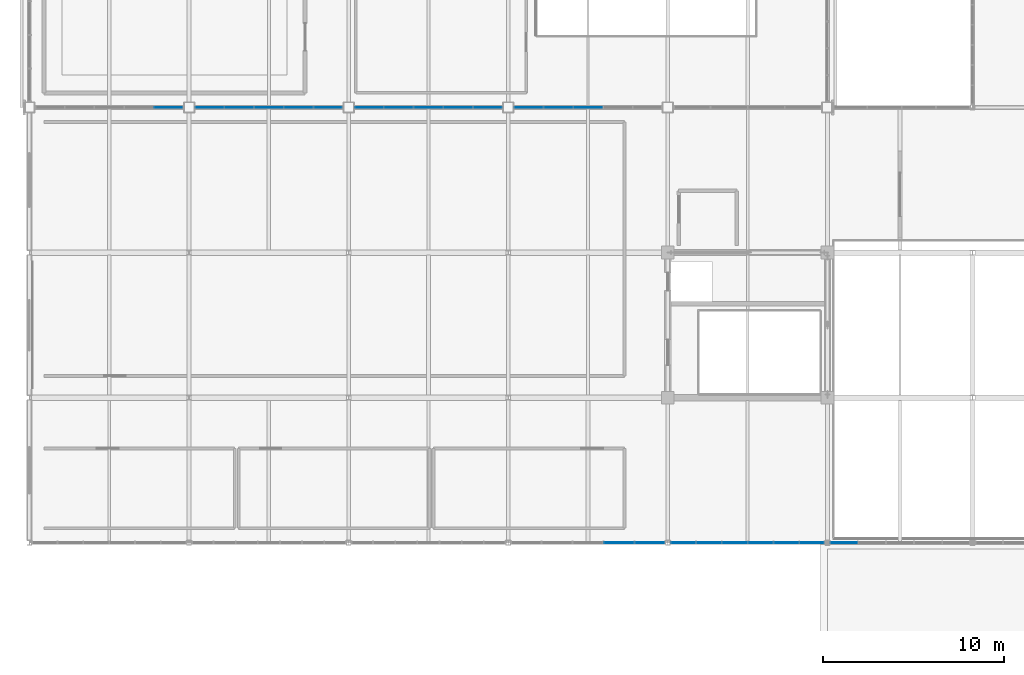
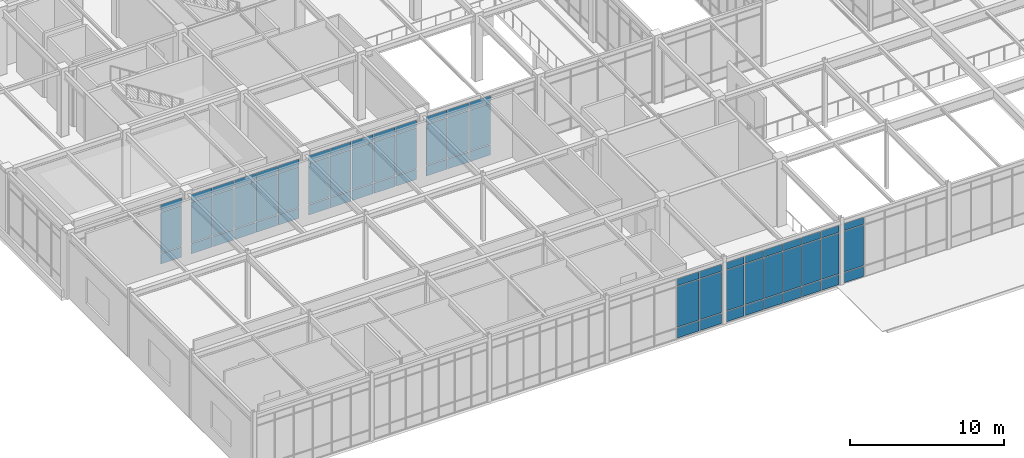
# One storey, part 83 of 184: 69 plates, 7 elements without a shape of their own.
"""IFC4 building model written with IfcOpenShell, lengths in metres."""

import ifcopenshell
import ifcopenshell.guid

model = None  # the IFC model being written
_history = None  # IfcOwnerHistory: only IFC2X3 demands one
_inside = {}  # id of a spatial element -> (the spatial element, [elements in it])
_under = {}  # id of a project, library or spatial element -> (it, [spatial elements below it])
_declared = {}  # id of a project -> (the project, [libraries it declares])
_typed = {}  # id of a type object -> (the type object, [elements of that type])
_made_of = {}  # id of a material, layer set ... -> (it, [elements and type objects made of it])


def new_model(schema):
    """Start an empty IFC model of exactly this schema.

    Asked for "IFC4X3", IfcOpenShell would pick the latest addendum, in which some entities
    have other attributes; the version numbers below select the first issue.
    IFC2X3 requires an IfcOwnerHistory on every rooted entity: one is made here for all.
    """
    global model, _history
    if schema == "IFC4X3":
        model = ifcopenshell.file(schema_version=(4, 3, 0, 0))
    else:
        model = ifcopenshell.file(schema=schema)
    _inside.clear()
    _under.clear()
    _declared.clear()
    _typed.clear()
    _made_of.clear()
    _history = None
    if model.schema == "IFC2X3":
        org = make("IfcOrganization", Name="unknown")
        user = make(
            "IfcPersonAndOrganization",
            ThePerson=make("IfcPerson", FamilyName="unknown"),
            TheOrganization=org,
        )
        app = make(
            "IfcApplication",
            ApplicationDeveloper=org,
            Version="unknown",
            ApplicationFullName="unknown",
            ApplicationIdentifier="unknown",
        )
        _history = make(
            "IfcOwnerHistory",
            OwningUser=user,
            OwningApplication=app,
            ChangeAction="ADDED",
            CreationDate=0,
        )
    return model


def make(cls, **values):
    """One entity of the class cls with the attributes given. An attribute that is None is left unset."""
    return model.create_entity(
        cls, **{name: value for name, value in values.items() if value is not None}
    )


def rooted(cls, **values):
    """An entity with a GlobalId (a new one), such as an element, a storey or a relation."""
    return make(cls, GlobalId=ifcopenshell.guid.new(), OwnerHistory=_history, **values)


def si_unit(unit_type, name, prefix=None):
    """IfcSIUnit, for example si_unit("LENGTHUNIT", "METRE", prefix="MILLI")."""
    return make("IfcSIUnit", UnitType=unit_type, Prefix=prefix, Name=name)


def assignment(units):
    """IfcUnitAssignment: the units of a project."""
    return None if units is None else make("IfcUnitAssignment", Units=units)


def point(xyz):
    """IfcCartesianPoint."""
    return None if xyz is None else make("IfcCartesianPoint", Coordinates=xyz)


def direction(xyz):
    """IfcDirection."""
    return None if xyz is None else make("IfcDirection", DirectionRatios=xyz)


def frame(location, z_axis=None, x_axis=None):
    """IfcAxis2Placement3D, a coordinate frame: its origin and axes. An axis left out is left unset."""
    return make(
        "IfcAxis2Placement3D",
        Location=point(location),
        Axis=direction(z_axis),
        RefDirection=direction(x_axis),
    )


def frame_2d(location, x_axis=None):
    """IfcAxis2Placement2D, a coordinate frame in the plane: its origin and x axis."""
    return make(
        "IfcAxis2Placement2D", Location=point(location), RefDirection=direction(x_axis)
    )


def origin():
    """The frame at (0, 0, 0) with its axes left unset."""
    return frame((0.0, 0.0, 0.0))


def origin_2d():
    """The frame at (0, 0) in the plane with its x axis left unset."""
    return frame_2d((0.0, 0.0))


def place(relative_to, where):
    """IfcLocalPlacement: puts the frame where relative to a parent placement (None: the world)."""
    return make(
        "IfcLocalPlacement", PlacementRelTo=relative_to, RelativePlacement=where
    )


def context(
    kind, dimensions, precision=None, world=None, true_north=None, identifier=None
):
    """IfcGeometricRepresentationContext, for example the 3D "Model" context."""
    return make(
        "IfcGeometricRepresentationContext",
        ContextIdentifier=identifier,
        ContextType=kind,
        CoordinateSpaceDimension=dimensions,
        Precision=precision,
        WorldCoordinateSystem=world,
        TrueNorth=true_north,
    )


def subcontext(parent, identifier, kind, view, scale=None):
    """IfcGeometricRepresentationSubContext, for example "Body" below "Model"."""
    return make(
        "IfcGeometricRepresentationSubContext",
        ContextIdentifier=identifier,
        ContextType=kind,
        ParentContext=parent,
        TargetScale=scale,
        TargetView=view,
    )


def project(units=None, contexts=None):
    """IfcProject with its units and contexts."""
    return rooted(
        "IfcProject",
        Name="project",
        RepresentationContexts=contexts,
        UnitsInContext=assignment(units),
    )


def spatial(cls, under=None, at=None, **own):
    """A site, building, storey or space (cls), placed at a placement, below another one or the project."""
    s = rooted(cls, ObjectPlacement=at, **own)
    if under is not None:
        _under.setdefault(under.id(), (under, []))[1].append(s)
    return s


def profile(cls, at=None, kind="AREA", **sizes):
    """A parametric profile (cls). Its sizes go by their IFC names, for example OverallWidth=200.0."""
    return make(cls, ProfileType=kind, Position=at, **sizes)


def rectangle(**sizes):
    """IfcRectangleProfileDef."""
    return profile("IfcRectangleProfileDef", **sizes)


def extrude(swept, where, along, depth):
    """IfcExtrudedAreaSolid: the profile swept, set in the frame where, extruded along a direction by depth."""
    return make(
        "IfcExtrudedAreaSolid",
        SweptArea=swept,
        Position=where,
        ExtrudedDirection=direction(along),
        Depth=depth,
    )


def shape(context_of_items, identifier, shape_type, items):
    """IfcShapeRepresentation: the items that make up one representation, for example the "Body"."""
    return make(
        "IfcShapeRepresentation",
        ContextOfItems=context_of_items,
        RepresentationIdentifier=identifier,
        RepresentationType=shape_type,
        Items=items,
    )


def material(Name=None, Category=None):
    """IfcMaterial."""
    return make("IfcMaterial", Name=Name, Category=Category)


def layer(
    of_material, thickness, ventilated=None, Name=None, Category=None, Priority=None
):
    """IfcMaterialLayer: one layer of a wall or slab, of a material (None: an air gap)."""
    return make(
        "IfcMaterialLayer",
        Material=of_material,
        LayerThickness=thickness,
        IsVentilated=ventilated,
        Name=Name,
        Category=Category,
        Priority=Priority,
    )


def layer_set(layers, Name=None):
    """IfcMaterialLayerSet."""
    return make("IfcMaterialLayerSet", MaterialLayers=layers, LayerSetName=Name)


def made_of(thing, what):
    """Note that an element or type object is made of a material, layer set ...; save() writes the relation."""
    if what is not None:
        _made_of.setdefault(what.id(), (what, []))[1].append(thing)
    return thing


def type_object(cls, material=None, **own):
    """A type object (cls), such as IfcWallType, which elements share."""
    return made_of(rooted(cls, **own), material)


def element(
    cls,
    number,
    at=None,
    inside=None,
    cuts=None,
    type_object=None,
    material=None,
    context=None,
    identifier="Body",
    shape_type=None,
    held_by="IfcProductDefinitionShape",
    body=None,
    shapes=None,
    **own,
):
    """One element of the class cls, such as IfcWall. Its Tag is "e" and its number.

    at: its placement. inside: the storey or other place that contains it. cuts: it is an
    opening in that element (IfcRelVoidsElement). A single representation is given by context,
    identifier, shape_type and body (its items); several are given by shapes. held_by: the class
    of the entity that holds the representations. save() writes the other relations.
    """
    e = rooted(cls, Tag="e%d" % number, ObjectPlacement=at, **own)
    if body is not None:
        shapes = [shape(context, identifier, shape_type, body)]
    if shapes is not None:
        e.Representation = make(held_by, Representations=shapes)
    if inside is not None:
        _inside.setdefault(inside.id(), (inside, []))[1].append(e)
    if cuts is not None:
        rooted(
            "IfcRelVoidsElement", RelatingBuildingElement=cuts, RelatedOpeningElement=e
        )
    if type_object is not None:
        _typed.setdefault(type_object.id(), (type_object, []))[1].append(e)
    return made_of(e, material)


def aggregate(whole, parts):
    """IfcRelAggregates: a whole, such as a stair, and the parts it consists of."""
    return rooted("IfcRelAggregates", RelatingObject=whole, RelatedObjects=parts)


def save(model, path):
    """Write the relations noted so far, then the file.

    IfcRelAggregates (storeys below a building ...), IfcRelContainedInSpatialStructure (elements
    in a storey), IfcRelDefinesByType, IfcRelAssociatesMaterial and IfcRelDeclares: one each for
    every whole, place, type object, material and project.
    """
    for whole, parts in _under.values():
        aggregate(whole, parts)
    for where, things in _inside.values():
        rooted(
            "IfcRelContainedInSpatialStructure",
            RelatedElements=things,
            RelatingStructure=where,
        )
    for kind, things in _typed.values():
        rooted("IfcRelDefinesByType", RelatedObjects=things, RelatingType=kind)
    for what, things in _made_of.values():
        rooted("IfcRelAssociatesMaterial", RelatedObjects=things, RelatingMaterial=what)
    for by, libraries in _declared.values():
        rooted("IfcRelDeclares", RelatingContext=by, RelatedDefinitions=libraries)
    model.write(path)


model = new_model("IFC4")

# Units and contexts
model_context = context("Model", 3, precision=1e-05, world=origin(), true_north=direction((0.0, 1.0)))
body_context = subcontext(model_context, "Body", "Model", "MODEL_VIEW")
ifc_project = project(units=[si_unit("LENGTHUNIT", "METRE"), si_unit("AREAUNIT", "SQUARE_METRE"), si_unit("VOLUMEUNIT", "CUBIC_METRE"), si_unit("PLANEANGLEUNIT", "RADIAN"), si_unit("MASSUNIT", "GRAM", prefix="KILO")], contexts=[model_context])

# Site, building, storey
site_placement = place(None, origin())
site = spatial("IfcSite", under=ifc_project, at=site_placement, CompositionType="ELEMENT")
building_placement = place(site_placement, origin())
building = spatial("IfcBuilding", under=site, at=building_placement, Name="Zhaolan Boulevard Law Courts", CompositionType="ELEMENT")
storey_placement = place(building_placement, frame((0.0, 0.0, 5.39990234375)))
storey = spatial("IfcBuildingStorey", under=building, at=storey_placement, Name="L01", CompositionType="ELEMENT", Elevation=5.39990234375)

# Curtain wall, plates
ifc_material_1 = material(Name="Thermally broken aluminium and low-E glazing", Category="aluminium")
curtain_wall_type_1 = type_object("IfcCurtainWallType", Name="CURTAIN WALL M7", PredefinedType="USERDEFINED", material=ifc_material_1)
curtain_wall_1_placement = place(storey_placement, origin())
curtain_wall_1 = element("IfcCurtainWall", 1, at=curtain_wall_1_placement, inside=storey, type_object=curtain_wall_type_1, Name="Curtain Wall CW-L01-031", ObjectType="CURTAIN WALL", PredefinedType="USERDEFINED")
ifc_material_2 = material(Name="Acoustic laminated low-E glazing", Category="glass")
ifc_layer = layer(ifc_material_2, 0.031982421875)
ifc_layer_set = layer_set([ifc_layer])
plate_type = type_object("IfcPlateType", Name="CWPANEL LOW E32", PredefinedType="CURTAIN_PANEL", material=ifc_layer_set)
plate_1_placement = place(storey_placement, frame((32.50927734375, 6.0, 0.06494140625), z_axis=(0.0, 0.0, 1.0), x_axis=(1.0, 0.0, 0.0)))
plate_1 = element("IfcPlate", 2, at=plate_1_placement, type_object=plate_type, Name="CW-L01-031 panel 4.1", PredefinedType="CURTAIN_PANEL", context=body_context, shape_type="SweptSolid", body=[
    extrude(rectangle(XDim=1.644287109375, YDim=0.031982421875, at=origin_2d()), origin(), (0.0, 0.0, 1.0), 0.802490234375),
])
plate_2_placement = place(storey_placement, frame((32.50927734375, 6.0, 0.9326171875), z_axis=(0.0, 0.0, 1.0), x_axis=(1.0, 0.0, 0.0)))
plate_2 = element("IfcPlate", 3, at=plate_2_placement, type_object=plate_type, Name="CW-L01-031 panel 4.2", PredefinedType="CURTAIN_PANEL", context=body_context, shape_type="SweptSolid", body=[
    extrude(rectangle(XDim=1.644287109375, YDim=0.031982421875, at=origin_2d()), origin(), (0.0, 0.0, 1.0), 3.2080078125),
])
plate_3_placement = place(storey_placement, frame((32.50927734375, 6.0, 4.20556640625), z_axis=(0.0, 0.0, 1.0), x_axis=(1.0, 0.0, 0.0)))
plate_3 = element("IfcPlate", 4, at=plate_3_placement, type_object=plate_type, Name="CW-L01-031 panel 4.3", PredefinedType="CURTAIN_PANEL", context=body_context, shape_type="SweptSolid", body=[
    extrude(rectangle(XDim=1.644287109375, YDim=0.031982421875, at=origin_2d()), origin(), (0.0, 0.0, 1.0), 0.552490234375),
])
plate_4_placement = place(storey_placement, frame((34.2021484375, 6.0, 0.06494140625), z_axis=(0.0, 0.0, 1.0), x_axis=(1.0, 0.0, 0.0)))
plate_4 = element("IfcPlate", 5, at=plate_4_placement, type_object=plate_type, Name="CW-L01-031 panel 5.1", PredefinedType="CURTAIN_PANEL", context=body_context, shape_type="SweptSolid", body=[
    extrude(rectangle(XDim=1.61181640625, YDim=0.031982421875, at=origin_2d()), origin(), (0.0, 0.0, 1.0), 0.802490234375),
])
plate_5_placement = place(storey_placement, frame((34.2021484375, 6.0, 0.9326171875), z_axis=(0.0, 0.0, 1.0), x_axis=(1.0, 0.0, 0.0)))
plate_5 = element("IfcPlate", 6, at=plate_5_placement, type_object=plate_type, Name="CW-L01-031 panel 5.2", PredefinedType="CURTAIN_PANEL", context=body_context, shape_type="SweptSolid", body=[
    extrude(rectangle(XDim=1.61181640625, YDim=0.031982421875, at=origin_2d()), origin(), (0.0, 0.0, 1.0), 3.2080078125),
])
plate_6_placement = place(storey_placement, frame((34.2021484375, 6.0, 4.20556640625), z_axis=(0.0, 0.0, 1.0), x_axis=(1.0, 0.0, 0.0)))
plate_6 = element("IfcPlate", 7, at=plate_6_placement, type_object=plate_type, Name="CW-L01-031 panel 5.3", PredefinedType="CURTAIN_PANEL", context=body_context, shape_type="SweptSolid", body=[
    extrude(rectangle(XDim=1.61181640625, YDim=0.031982421875, at=origin_2d()), origin(), (0.0, 0.0, 1.0), 0.552490234375),
])
aggregate(curtain_wall_1, [plate_1, plate_2, plate_3, plate_4, plate_5, plate_6])

ifc_material_3 = material(Name="Thermally broken aluminium and low-E glazing", Category="aluminium")
curtain_wall_type_2 = type_object("IfcCurtainWallType", Name="CURTAIN WALL M8", PredefinedType="USERDEFINED", material=ifc_material_3)
curtain_wall_2_placement = place(storey_placement, origin())
curtain_wall_2 = element("IfcCurtainWall", 8, at=curtain_wall_2_placement, inside=storey, type_object=curtain_wall_type_2, Name="Curtain Wall CW-L01-032", ObjectType="CURTAIN WALL", PredefinedType="USERDEFINED")
plate_7_placement = place(storey_placement, frame((36.055419921875, 6.0, 0.06494140625), z_axis=(0.0, 0.0, 1.0), x_axis=(1.0, 0.0, 0.0)))
plate_7 = element("IfcPlate", 9, at=plate_7_placement, type_object=plate_type, Name="CW-L01-032 panel 1.1", PredefinedType="CURTAIN_PANEL", context=body_context, shape_type="SweptSolid", body=[
    extrude(rectangle(XDim=1.326904296875, YDim=0.031982421875, at=origin_2d()), origin(), (0.0, 0.0, 1.0), 0.802490234375),
])
plate_8_placement = place(storey_placement, frame((36.055419921875, 6.0, 0.9326171875), z_axis=(0.0, 0.0, 1.0), x_axis=(1.0, 0.0, 0.0)))
plate_8 = element("IfcPlate", 10, at=plate_8_placement, type_object=plate_type, Name="CW-L01-032 panel 1.2", PredefinedType="CURTAIN_PANEL", context=body_context, shape_type="SweptSolid", body=[
    extrude(rectangle(XDim=1.326904296875, YDim=0.031982421875, at=origin_2d()), origin(), (0.0, 0.0, 1.0), 3.2080078125),
])
plate_9_placement = place(storey_placement, frame((36.055419921875, 6.0, 4.20556640625), z_axis=(0.0, 0.0, 1.0), x_axis=(1.0, 0.0, 0.0)))
plate_9 = element("IfcPlate", 11, at=plate_9_placement, type_object=plate_type, Name="CW-L01-032 panel 1.3", PredefinedType="CURTAIN_PANEL", context=body_context, shape_type="SweptSolid", body=[
    extrude(rectangle(XDim=1.326904296875, YDim=0.031982421875, at=origin_2d()), origin(), (0.0, 0.0, 1.0), 0.552490234375),
])
plate_10_placement = place(storey_placement, frame((37.46337890625, 6.0, 0.06494140625), z_axis=(0.0, 0.0, 1.0), x_axis=(1.0, 0.0, 0.0)))
plate_10 = element("IfcPlate", 12, at=plate_10_placement, type_object=plate_type, Name="CW-L01-032 panel 2.1", PredefinedType="CURTAIN_PANEL", context=body_context, shape_type="SweptSolid", body=[
    extrude(rectangle(XDim=1.359375, YDim=0.031982421875, at=origin_2d()), origin(), (0.0, 0.0, 1.0), 0.802490234375),
])
plate_11_placement = place(storey_placement, frame((37.46337890625, 6.0, 0.9326171875), z_axis=(0.0, 0.0, 1.0), x_axis=(1.0, 0.0, 0.0)))
plate_11 = element("IfcPlate", 13, at=plate_11_placement, type_object=plate_type, Name="CW-L01-032 panel 2.2", PredefinedType="CURTAIN_PANEL", context=body_context, shape_type="SweptSolid", body=[
    extrude(rectangle(XDim=1.359375, YDim=0.031982421875, at=origin_2d()), origin(), (0.0, 0.0, 1.0), 3.2080078125),
])
plate_12_placement = place(storey_placement, frame((37.46337890625, 6.0, 4.20556640625), z_axis=(0.0, 0.0, 1.0), x_axis=(1.0, 0.0, 0.0)))
plate_12 = element("IfcPlate", 14, at=plate_12_placement, type_object=plate_type, Name="CW-L01-032 panel 2.3", PredefinedType="CURTAIN_PANEL", context=body_context, shape_type="SweptSolid", body=[
    extrude(rectangle(XDim=1.359375, YDim=0.031982421875, at=origin_2d()), origin(), (0.0, 0.0, 1.0), 0.552490234375),
])
plate_13_placement = place(storey_placement, frame((38.887939453125, 6.0, 0.06494140625), z_axis=(0.0, 0.0, 1.0), x_axis=(1.0, 0.0, 0.0)))
plate_13 = element("IfcPlate", 15, at=plate_13_placement, type_object=plate_type, Name="CW-L01-032 panel 3.1", PredefinedType="CURTAIN_PANEL", context=body_context, shape_type="SweptSolid", body=[
    extrude(rectangle(XDim=1.359375, YDim=0.031982421875, at=origin_2d()), origin(), (0.0, 0.0, 1.0), 0.802490234375),
])
plate_14_placement = place(storey_placement, frame((38.887939453125, 6.0, 0.9326171875), z_axis=(0.0, 0.0, 1.0), x_axis=(1.0, 0.0, 0.0)))
plate_14 = element("IfcPlate", 16, at=plate_14_placement, type_object=plate_type, Name="CW-L01-032 panel 3.2", PredefinedType="CURTAIN_PANEL", context=body_context, shape_type="SweptSolid", body=[
    extrude(rectangle(XDim=1.359375, YDim=0.031982421875, at=origin_2d()), origin(), (0.0, 0.0, 1.0), 3.2080078125),
])
plate_15_placement = place(storey_placement, frame((38.887939453125, 6.0, 4.20556640625), z_axis=(0.0, 0.0, 1.0), x_axis=(1.0, 0.0, 0.0)))
plate_15 = element("IfcPlate", 17, at=plate_15_placement, type_object=plate_type, Name="CW-L01-032 panel 3.3", PredefinedType="CURTAIN_PANEL", context=body_context, shape_type="SweptSolid", body=[
    extrude(rectangle(XDim=1.359375, YDim=0.031982421875, at=origin_2d()), origin(), (0.0, 0.0, 1.0), 0.552490234375),
])
plate_16_placement = place(storey_placement, frame((40.312255859375, 6.0, 0.06494140625), z_axis=(0.0, 0.0, 1.0), x_axis=(1.0, 0.0, 0.0)))
plate_16 = element("IfcPlate", 18, at=plate_16_placement, type_object=plate_type, Name="CW-L01-032 panel 4.1", PredefinedType="CURTAIN_PANEL", context=body_context, shape_type="SweptSolid", body=[
    extrude(rectangle(XDim=1.359375, YDim=0.031982421875, at=origin_2d()), origin(), (0.0, 0.0, 1.0), 0.802490234375),
])
plate_17_placement = place(storey_placement, frame((40.312255859375, 6.0, 0.9326171875), z_axis=(0.0, 0.0, 1.0), x_axis=(1.0, 0.0, 0.0)))
plate_17 = element("IfcPlate", 19, at=plate_17_placement, type_object=plate_type, Name="CW-L01-032 panel 4.2", PredefinedType="CURTAIN_PANEL", context=body_context, shape_type="SweptSolid", body=[
    extrude(rectangle(XDim=1.359375, YDim=0.031982421875, at=origin_2d()), origin(), (0.0, 0.0, 1.0), 3.2080078125),
])
plate_18_placement = place(storey_placement, frame((40.312255859375, 6.0, 4.20556640625), z_axis=(0.0, 0.0, 1.0), x_axis=(1.0, 0.0, 0.0)))
plate_18 = element("IfcPlate", 20, at=plate_18_placement, type_object=plate_type, Name="CW-L01-032 panel 4.3", PredefinedType="CURTAIN_PANEL", context=body_context, shape_type="SweptSolid", body=[
    extrude(rectangle(XDim=1.359375, YDim=0.031982421875, at=origin_2d()), origin(), (0.0, 0.0, 1.0), 0.552490234375),
])
plate_19_placement = place(storey_placement, frame((41.736572265625, 6.0, 0.06494140625), z_axis=(0.0, 0.0, 1.0), x_axis=(1.0, 0.0, 0.0)))
plate_19 = element("IfcPlate", 21, at=plate_19_placement, type_object=plate_type, Name="CW-L01-032 panel 5.1", PredefinedType="CURTAIN_PANEL", context=body_context, shape_type="SweptSolid", body=[
    extrude(rectangle(XDim=1.359375, YDim=0.031982421875, at=origin_2d()), origin(), (0.0, 0.0, 1.0), 0.802490234375),
])
plate_20_placement = place(storey_placement, frame((41.736572265625, 6.0, 0.9326171875), z_axis=(0.0, 0.0, 1.0), x_axis=(1.0, 0.0, 0.0)))
plate_20 = element("IfcPlate", 22, at=plate_20_placement, type_object=plate_type, Name="CW-L01-032 panel 5.2", PredefinedType="CURTAIN_PANEL", context=body_context, shape_type="SweptSolid", body=[
    extrude(rectangle(XDim=1.359375, YDim=0.031982421875, at=origin_2d()), origin(), (0.0, 0.0, 1.0), 3.2080078125),
])
plate_21_placement = place(storey_placement, frame((41.736572265625, 6.0, 4.20556640625), z_axis=(0.0, 0.0, 1.0), x_axis=(1.0, 0.0, 0.0)))
plate_21 = element("IfcPlate", 23, at=plate_21_placement, type_object=plate_type, Name="CW-L01-032 panel 5.3", PredefinedType="CURTAIN_PANEL", context=body_context, shape_type="SweptSolid", body=[
    extrude(rectangle(XDim=1.359375, YDim=0.031982421875, at=origin_2d()), origin(), (0.0, 0.0, 1.0), 0.552490234375),
])
plate_22_placement = place(storey_placement, frame((43.14453125, 6.0, 0.06494140625), z_axis=(0.0, 0.0, 1.0), x_axis=(1.0, 0.0, 0.0)))
plate_22 = element("IfcPlate", 24, at=plate_22_placement, type_object=plate_type, Name="CW-L01-032 panel 6.1", PredefinedType="CURTAIN_PANEL", context=body_context, shape_type="SweptSolid", body=[
    extrude(rectangle(XDim=1.326904296875, YDim=0.031982421875, at=origin_2d()), origin(), (0.0, 0.0, 1.0), 0.802490234375),
])
plate_23_placement = place(storey_placement, frame((43.14453125, 6.0, 0.9326171875), z_axis=(0.0, 0.0, 1.0), x_axis=(1.0, 0.0, 0.0)))
plate_23 = element("IfcPlate", 25, at=plate_23_placement, type_object=plate_type, Name="CW-L01-032 panel 6.2", PredefinedType="CURTAIN_PANEL", context=body_context, shape_type="SweptSolid", body=[
    extrude(rectangle(XDim=1.326904296875, YDim=0.031982421875, at=origin_2d()), origin(), (0.0, 0.0, 1.0), 3.2080078125),
])
plate_24_placement = place(storey_placement, frame((43.14453125, 6.0, 4.20556640625), z_axis=(0.0, 0.0, 1.0), x_axis=(1.0, 0.0, 0.0)))
plate_24 = element("IfcPlate", 26, at=plate_24_placement, type_object=plate_type, Name="CW-L01-032 panel 6.3", PredefinedType="CURTAIN_PANEL", context=body_context, shape_type="SweptSolid", body=[
    extrude(rectangle(XDim=1.326904296875, YDim=0.031982421875, at=origin_2d()), origin(), (0.0, 0.0, 1.0), 0.552490234375),
])
aggregate(curtain_wall_2, [plate_7, plate_8, plate_9, plate_10, plate_11, plate_12, plate_13, plate_14, plate_15, plate_16, plate_17, plate_18, plate_19, plate_20, plate_21, plate_22, plate_23, plate_24])

ifc_material_4 = material(Name="Thermally broken aluminium and low-E glazing", Category="aluminium")
curtain_wall_type_3 = type_object("IfcCurtainWallType", Name="CURTAIN WALL M9", PredefinedType="USERDEFINED", material=ifc_material_4)
curtain_wall_3_placement = place(storey_placement, origin())
curtain_wall_3 = element("IfcCurtainWall", 27, at=curtain_wall_3_placement, inside=storey, type_object=curtain_wall_type_3, Name="Curtain Wall CW-L01-033", ObjectType="CURTAIN WALL", PredefinedType="USERDEFINED")
plate_25_placement = place(storey_placement, frame((44.91796875, 6.0, 0.06494140625), z_axis=(0.0, 0.0, 1.0), x_axis=(1.0, 0.0, 0.0)))
plate_25 = element("IfcPlate", 28, at=plate_25_placement, type_object=plate_type, Name="CW-L01-033 panel 1.1", PredefinedType="CURTAIN_PANEL", context=body_context, shape_type="SweptSolid", body=[
    extrude(rectangle(XDim=1.45166015625, YDim=0.031982421875, at=origin_2d()), origin(), (0.0, 0.0, 1.0), 0.802490234375),
])
plate_26_placement = place(storey_placement, frame((44.91796875, 6.0, 0.9326171875), z_axis=(0.0, 0.0, 1.0), x_axis=(1.0, 0.0, 0.0)))
plate_26 = element("IfcPlate", 29, at=plate_26_placement, type_object=plate_type, Name="CW-L01-033 panel 1.2", PredefinedType="CURTAIN_PANEL", context=body_context, shape_type="SweptSolid", body=[
    extrude(rectangle(XDim=1.45166015625, YDim=0.031982421875, at=origin_2d()), origin(), (0.0, 0.0, 1.0), 3.2080078125),
])
plate_27_placement = place(storey_placement, frame((44.91796875, 6.0, 4.20556640625), z_axis=(0.0, 0.0, 1.0), x_axis=(1.0, 0.0, 0.0)))
plate_27 = element("IfcPlate", 30, at=plate_27_placement, type_object=plate_type, Name="CW-L01-033 panel 1.3", PredefinedType="CURTAIN_PANEL", context=body_context, shape_type="SweptSolid", body=[
    extrude(rectangle(XDim=1.45166015625, YDim=0.031982421875, at=origin_2d()), origin(), (0.0, 0.0, 1.0), 0.552490234375),
])
aggregate(curtain_wall_3, [plate_25, plate_26, plate_27])

ifc_material_5 = material(Name="Thermally broken aluminium and low-E glazing", Category="aluminium")
curtain_wall_type_4 = type_object("IfcCurtainWallType", Name="CURTAIN WALL M19", PredefinedType="USERDEFINED", material=ifc_material_5)
curtain_wall_4_placement = place(storey_placement, origin())
curtain_wall_4 = element("IfcCurtainWall", 31, at=curtain_wall_4_placement, inside=storey, type_object=curtain_wall_type_4, Name="Curtain Wall CW-L01-043", ObjectType="CURTAIN WALL", PredefinedType="USERDEFINED")
plate_28_placement = place(storey_placement, frame((7.662109375, 30.0, 0.06494140625), z_axis=(0.0, 0.0, 1.0), x_axis=(-1.0, 0.0, 0.0)))
plate_28 = element("IfcPlate", 32, at=plate_28_placement, type_object=plate_type, Name="CW-L01-043 panel 1.1", PredefinedType="CURTAIN_PANEL", context=body_context, shape_type="SweptSolid", body=[
    extrude(rectangle(XDim=1.541748046875, YDim=0.031982421875, at=origin_2d()), origin(), (0.0, 0.0, 1.0), 0.802490234375),
])
plate_29_placement = place(storey_placement, frame((7.662109375, 30.0, 0.9326171875), z_axis=(0.0, 0.0, 1.0), x_axis=(-1.0, 0.0, 0.0)))
plate_29 = element("IfcPlate", 33, at=plate_29_placement, type_object=plate_type, Name="CW-L01-043 panel 1.2", PredefinedType="CURTAIN_PANEL", context=body_context, shape_type="SweptSolid", body=[
    extrude(rectangle(XDim=1.541748046875, YDim=0.031982421875, at=origin_2d()), origin(), (0.0, 0.0, 1.0), 3.2080078125),
])
plate_30_placement = place(storey_placement, frame((7.662109375, 30.0, 4.20556640625), z_axis=(0.0, 0.0, 1.0), x_axis=(-1.0, 0.0, 0.0)))
plate_30 = element("IfcPlate", 34, at=plate_30_placement, type_object=plate_type, Name="CW-L01-043 panel 1.3", PredefinedType="CURTAIN_PANEL", context=body_context, shape_type="SweptSolid", body=[
    extrude(rectangle(XDim=1.541748046875, YDim=0.031982421875, at=origin_2d()), origin(), (0.0, 0.0, 1.0), 0.552490234375),
])
aggregate(curtain_wall_4, [plate_28, plate_29, plate_30])

ifc_material_6 = material(Name="Thermally broken aluminium and low-E glazing", Category="aluminium")
curtain_wall_type_5 = type_object("IfcCurtainWallType", Name="CURTAIN WALL M20", PredefinedType="USERDEFINED", material=ifc_material_6)
curtain_wall_5_placement = place(storey_placement, origin())
curtain_wall_5 = element("IfcCurtainWall", 35, at=curtain_wall_5_placement, inside=storey, type_object=curtain_wall_type_5, Name="Curtain Wall CW-L01-044", ObjectType="CURTAIN WALL", PredefinedType="USERDEFINED")
plate_31_placement = place(storey_placement, frame((16.462158203125, 30.0, 0.06494140625), z_axis=(0.0, 0.0, 1.0), x_axis=(-1.0, 0.0, 0.0)))
plate_31 = element("IfcPlate", 36, at=plate_31_placement, type_object=plate_type, Name="CW-L01-044 panel 1.1", PredefinedType="CURTAIN_PANEL", context=body_context, shape_type="SweptSolid", body=[
    extrude(rectangle(XDim=1.541748046875, YDim=0.031982421875, at=origin_2d()), origin(), (0.0, 0.0, 1.0), 0.802490234375),
])
plate_32_placement = place(storey_placement, frame((16.462158203125, 30.0, 0.9326171875), z_axis=(0.0, 0.0, 1.0), x_axis=(-1.0, 0.0, 0.0)))
plate_32 = element("IfcPlate", 37, at=plate_32_placement, type_object=plate_type, Name="CW-L01-044 panel 1.2", PredefinedType="CURTAIN_PANEL", context=body_context, shape_type="SweptSolid", body=[
    extrude(rectangle(XDim=1.541748046875, YDim=0.031982421875, at=origin_2d()), origin(), (0.0, 0.0, 1.0), 3.2080078125),
])
plate_33_placement = place(storey_placement, frame((16.462158203125, 30.0, 4.20556640625), z_axis=(0.0, 0.0, 1.0), x_axis=(-1.0, 0.0, 0.0)))
plate_33 = element("IfcPlate", 38, at=plate_33_placement, type_object=plate_type, Name="CW-L01-044 panel 1.3", PredefinedType="CURTAIN_PANEL", context=body_context, shape_type="SweptSolid", body=[
    extrude(rectangle(XDim=1.541748046875, YDim=0.031982421875, at=origin_2d()), origin(), (0.0, 0.0, 1.0), 0.552490234375),
])
plate_34_placement = place(storey_placement, frame((14.839111328125, 30.0, 0.06494140625), z_axis=(0.0, 0.0, 1.0), x_axis=(-1.0, 0.0, 0.0)))
plate_34 = element("IfcPlate", 39, at=plate_34_placement, type_object=plate_type, Name="CW-L01-044 panel 2.1", PredefinedType="CURTAIN_PANEL", context=body_context, shape_type="SweptSolid", body=[
    extrude(rectangle(XDim=1.57421875, YDim=0.031982421875, at=origin_2d()), origin(), (0.0, 0.0, 1.0), 0.802490234375),
])
plate_35_placement = place(storey_placement, frame((14.839111328125, 30.0, 0.9326171875), z_axis=(0.0, 0.0, 1.0), x_axis=(-1.0, 0.0, 0.0)))
plate_35 = element("IfcPlate", 40, at=plate_35_placement, type_object=plate_type, Name="CW-L01-044 panel 2.2", PredefinedType="CURTAIN_PANEL", context=body_context, shape_type="SweptSolid", body=[
    extrude(rectangle(XDim=1.57421875, YDim=0.031982421875, at=origin_2d()), origin(), (0.0, 0.0, 1.0), 3.2080078125),
])
plate_36_placement = place(storey_placement, frame((14.839111328125, 30.0, 4.20556640625), z_axis=(0.0, 0.0, 1.0), x_axis=(-1.0, 0.0, 0.0)))
plate_36 = element("IfcPlate", 41, at=plate_36_placement, type_object=plate_type, Name="CW-L01-044 panel 2.3", PredefinedType="CURTAIN_PANEL", context=body_context, shape_type="SweptSolid", body=[
    extrude(rectangle(XDim=1.57421875, YDim=0.031982421875, at=origin_2d()), origin(), (0.0, 0.0, 1.0), 0.552490234375),
])
plate_37_placement = place(storey_placement, frame((13.199951171875, 30.0, 0.06494140625), z_axis=(0.0, 0.0, 1.0), x_axis=(-1.0, 0.0, 0.0)))
plate_37 = element("IfcPlate", 42, at=plate_37_placement, type_object=plate_type, Name="CW-L01-044 panel 3.1", PredefinedType="CURTAIN_PANEL", context=body_context, shape_type="SweptSolid", body=[
    extrude(rectangle(XDim=1.57421875, YDim=0.031982421875, at=origin_2d()), origin(), (0.0, 0.0, 1.0), 0.802490234375),
])
plate_38_placement = place(storey_placement, frame((13.199951171875, 30.0, 0.9326171875), z_axis=(0.0, 0.0, 1.0), x_axis=(-1.0, 0.0, 0.0)))
plate_38 = element("IfcPlate", 43, at=plate_38_placement, type_object=plate_type, Name="CW-L01-044 panel 3.2", PredefinedType="CURTAIN_PANEL", context=body_context, shape_type="SweptSolid", body=[
    extrude(rectangle(XDim=1.57421875, YDim=0.031982421875, at=origin_2d()), origin(), (0.0, 0.0, 1.0), 3.2080078125),
])
plate_39_placement = place(storey_placement, frame((13.199951171875, 30.0, 4.20556640625), z_axis=(0.0, 0.0, 1.0), x_axis=(-1.0, 0.0, 0.0)))
plate_39 = element("IfcPlate", 44, at=plate_39_placement, type_object=plate_type, Name="CW-L01-044 panel 3.3", PredefinedType="CURTAIN_PANEL", context=body_context, shape_type="SweptSolid", body=[
    extrude(rectangle(XDim=1.57421875, YDim=0.031982421875, at=origin_2d()), origin(), (0.0, 0.0, 1.0), 0.552490234375),
])
plate_40_placement = place(storey_placement, frame((11.560791015625, 30.0, 0.06494140625), z_axis=(0.0, 0.0, 1.0), x_axis=(-1.0, 0.0, 0.0)))
plate_40 = element("IfcPlate", 45, at=plate_40_placement, type_object=plate_type, Name="CW-L01-044 panel 4.1", PredefinedType="CURTAIN_PANEL", context=body_context, shape_type="SweptSolid", body=[
    extrude(rectangle(XDim=1.57421875, YDim=0.031982421875, at=origin_2d()), origin(), (0.0, 0.0, 1.0), 0.802490234375),
])
plate_41_placement = place(storey_placement, frame((11.560791015625, 30.0, 0.9326171875), z_axis=(0.0, 0.0, 1.0), x_axis=(-1.0, 0.0, 0.0)))
plate_41 = element("IfcPlate", 46, at=plate_41_placement, type_object=plate_type, Name="CW-L01-044 panel 4.2", PredefinedType="CURTAIN_PANEL", context=body_context, shape_type="SweptSolid", body=[
    extrude(rectangle(XDim=1.57421875, YDim=0.031982421875, at=origin_2d()), origin(), (0.0, 0.0, 1.0), 3.2080078125),
])
plate_42_placement = place(storey_placement, frame((11.560791015625, 30.0, 4.20556640625), z_axis=(0.0, 0.0, 1.0), x_axis=(-1.0, 0.0, 0.0)))
plate_42 = element("IfcPlate", 47, at=plate_42_placement, type_object=plate_type, Name="CW-L01-044 panel 4.3", PredefinedType="CURTAIN_PANEL", context=body_context, shape_type="SweptSolid", body=[
    extrude(rectangle(XDim=1.57421875, YDim=0.031982421875, at=origin_2d()), origin(), (0.0, 0.0, 1.0), 0.552490234375),
])
plate_43_placement = place(storey_placement, frame((9.937744140625, 30.0, 0.06494140625), z_axis=(0.0, 0.0, 1.0), x_axis=(-1.0, 0.0, 0.0)))
plate_43 = element("IfcPlate", 48, at=plate_43_placement, type_object=plate_type, Name="CW-L01-044 panel 5.1", PredefinedType="CURTAIN_PANEL", context=body_context, shape_type="SweptSolid", body=[
    extrude(rectangle(XDim=1.541748046875, YDim=0.031982421875, at=origin_2d()), origin(), (0.0, 0.0, 1.0), 0.802490234375),
])
plate_44_placement = place(storey_placement, frame((9.937744140625, 30.0, 0.9326171875), z_axis=(0.0, 0.0, 1.0), x_axis=(-1.0, 0.0, 0.0)))
plate_44 = element("IfcPlate", 49, at=plate_44_placement, type_object=plate_type, Name="CW-L01-044 panel 5.2", PredefinedType="CURTAIN_PANEL", context=body_context, shape_type="SweptSolid", body=[
    extrude(rectangle(XDim=1.541748046875, YDim=0.031982421875, at=origin_2d()), origin(), (0.0, 0.0, 1.0), 3.2080078125),
])
plate_45_placement = place(storey_placement, frame((9.937744140625, 30.0, 4.20556640625), z_axis=(0.0, 0.0, 1.0), x_axis=(-1.0, 0.0, 0.0)))
plate_45 = element("IfcPlate", 50, at=plate_45_placement, type_object=plate_type, Name="CW-L01-044 panel 5.3", PredefinedType="CURTAIN_PANEL", context=body_context, shape_type="SweptSolid", body=[
    extrude(rectangle(XDim=1.541748046875, YDim=0.031982421875, at=origin_2d()), origin(), (0.0, 0.0, 1.0), 0.552490234375),
])
aggregate(curtain_wall_5, [plate_31, plate_32, plate_33, plate_34, plate_35, plate_36, plate_37, plate_38, plate_39, plate_40, plate_41, plate_42, plate_43, plate_44, plate_45])

ifc_material_7 = material(Name="Thermally broken aluminium and low-E glazing", Category="aluminium")
curtain_wall_type_6 = type_object("IfcCurtainWallType", Name="CURTAIN WALL M21", PredefinedType="USERDEFINED", material=ifc_material_7)
curtain_wall_6_placement = place(storey_placement, origin())
curtain_wall_6 = element("IfcCurtainWall", 51, at=curtain_wall_6_placement, inside=storey, type_object=curtain_wall_type_6, Name="Curtain Wall CW-L01-045", ObjectType="CURTAIN WALL", PredefinedType="USERDEFINED")
plate_46_placement = place(storey_placement, frame((25.26220703125, 30.0, 0.06494140625), z_axis=(0.0, 0.0, 1.0), x_axis=(-1.0, 0.0, 0.0)))
plate_46 = element("IfcPlate", 52, at=plate_46_placement, type_object=plate_type, Name="CW-L01-045 panel 1.1", PredefinedType="CURTAIN_PANEL", context=body_context, shape_type="SweptSolid", body=[
    extrude(rectangle(XDim=1.541748046875, YDim=0.031982421875, at=origin_2d()), origin(), (0.0, 0.0, 1.0), 0.802490234375),
])
plate_47_placement = place(storey_placement, frame((25.26220703125, 30.0, 0.9326171875), z_axis=(0.0, 0.0, 1.0), x_axis=(-1.0, 0.0, 0.0)))
plate_47 = element("IfcPlate", 53, at=plate_47_placement, type_object=plate_type, Name="CW-L01-045 panel 1.2", PredefinedType="CURTAIN_PANEL", context=body_context, shape_type="SweptSolid", body=[
    extrude(rectangle(XDim=1.541748046875, YDim=0.031982421875, at=origin_2d()), origin(), (0.0, 0.0, 1.0), 3.2080078125),
])
plate_48_placement = place(storey_placement, frame((25.26220703125, 30.0, 4.20556640625), z_axis=(0.0, 0.0, 1.0), x_axis=(-1.0, 0.0, 0.0)))
plate_48 = element("IfcPlate", 54, at=plate_48_placement, type_object=plate_type, Name="CW-L01-045 panel 1.3", PredefinedType="CURTAIN_PANEL", context=body_context, shape_type="SweptSolid", body=[
    extrude(rectangle(XDim=1.541748046875, YDim=0.031982421875, at=origin_2d()), origin(), (0.0, 0.0, 1.0), 0.552490234375),
])
plate_49_placement = place(storey_placement, frame((23.63916015625, 30.0, 0.06494140625), z_axis=(0.0, 0.0, 1.0), x_axis=(-1.0, 0.0, 0.0)))
plate_49 = element("IfcPlate", 55, at=plate_49_placement, type_object=plate_type, Name="CW-L01-045 panel 2.1", PredefinedType="CURTAIN_PANEL", context=body_context, shape_type="SweptSolid", body=[
    extrude(rectangle(XDim=1.57421875, YDim=0.031982421875, at=origin_2d()), origin(), (0.0, 0.0, 1.0), 0.802490234375),
])
plate_50_placement = place(storey_placement, frame((23.63916015625, 30.0, 0.9326171875), z_axis=(0.0, 0.0, 1.0), x_axis=(-1.0, 0.0, 0.0)))
plate_50 = element("IfcPlate", 56, at=plate_50_placement, type_object=plate_type, Name="CW-L01-045 panel 2.2", PredefinedType="CURTAIN_PANEL", context=body_context, shape_type="SweptSolid", body=[
    extrude(rectangle(XDim=1.57421875, YDim=0.031982421875, at=origin_2d()), origin(), (0.0, 0.0, 1.0), 3.2080078125),
])
plate_51_placement = place(storey_placement, frame((23.63916015625, 30.0, 4.20556640625), z_axis=(0.0, 0.0, 1.0), x_axis=(-1.0, 0.0, 0.0)))
plate_51 = element("IfcPlate", 57, at=plate_51_placement, type_object=plate_type, Name="CW-L01-045 panel 2.3", PredefinedType="CURTAIN_PANEL", context=body_context, shape_type="SweptSolid", body=[
    extrude(rectangle(XDim=1.57421875, YDim=0.031982421875, at=origin_2d()), origin(), (0.0, 0.0, 1.0), 0.552490234375),
])
plate_52_placement = place(storey_placement, frame((22.0, 30.0, 0.06494140625), z_axis=(0.0, 0.0, 1.0), x_axis=(-1.0, 0.0, 0.0)))
plate_52 = element("IfcPlate", 58, at=plate_52_placement, type_object=plate_type, Name="CW-L01-045 panel 3.1", PredefinedType="CURTAIN_PANEL", context=body_context, shape_type="SweptSolid", body=[
    extrude(rectangle(XDim=1.57421875, YDim=0.031982421875, at=origin_2d()), origin(), (0.0, 0.0, 1.0), 0.802490234375),
])
plate_53_placement = place(storey_placement, frame((22.0, 30.0, 0.9326171875), z_axis=(0.0, 0.0, 1.0), x_axis=(-1.0, 0.0, 0.0)))
plate_53 = element("IfcPlate", 59, at=plate_53_placement, type_object=plate_type, Name="CW-L01-045 panel 3.2", PredefinedType="CURTAIN_PANEL", context=body_context, shape_type="SweptSolid", body=[
    extrude(rectangle(XDim=1.57421875, YDim=0.031982421875, at=origin_2d()), origin(), (0.0, 0.0, 1.0), 3.2080078125),
])
plate_54_placement = place(storey_placement, frame((22.0, 30.0, 4.20556640625), z_axis=(0.0, 0.0, 1.0), x_axis=(-1.0, 0.0, 0.0)))
plate_54 = element("IfcPlate", 60, at=plate_54_placement, type_object=plate_type, Name="CW-L01-045 panel 3.3", PredefinedType="CURTAIN_PANEL", context=body_context, shape_type="SweptSolid", body=[
    extrude(rectangle(XDim=1.57421875, YDim=0.031982421875, at=origin_2d()), origin(), (0.0, 0.0, 1.0), 0.552490234375),
])
plate_55_placement = place(storey_placement, frame((20.36083984375, 30.0, 0.06494140625), z_axis=(0.0, 0.0, 1.0), x_axis=(-1.0, 0.0, 0.0)))
plate_55 = element("IfcPlate", 61, at=plate_55_placement, type_object=plate_type, Name="CW-L01-045 panel 4.1", PredefinedType="CURTAIN_PANEL", context=body_context, shape_type="SweptSolid", body=[
    extrude(rectangle(XDim=1.57421875, YDim=0.031982421875, at=origin_2d()), origin(), (0.0, 0.0, 1.0), 0.802490234375),
])
plate_56_placement = place(storey_placement, frame((20.36083984375, 30.0, 0.9326171875), z_axis=(0.0, 0.0, 1.0), x_axis=(-1.0, 0.0, 0.0)))
plate_56 = element("IfcPlate", 62, at=plate_56_placement, type_object=plate_type, Name="CW-L01-045 panel 4.2", PredefinedType="CURTAIN_PANEL", context=body_context, shape_type="SweptSolid", body=[
    extrude(rectangle(XDim=1.57421875, YDim=0.031982421875, at=origin_2d()), origin(), (0.0, 0.0, 1.0), 3.2080078125),
])
plate_57_placement = place(storey_placement, frame((20.36083984375, 30.0, 4.20556640625), z_axis=(0.0, 0.0, 1.0), x_axis=(-1.0, 0.0, 0.0)))
plate_57 = element("IfcPlate", 63, at=plate_57_placement, type_object=plate_type, Name="CW-L01-045 panel 4.3", PredefinedType="CURTAIN_PANEL", context=body_context, shape_type="SweptSolid", body=[
    extrude(rectangle(XDim=1.57421875, YDim=0.031982421875, at=origin_2d()), origin(), (0.0, 0.0, 1.0), 0.552490234375),
])
plate_58_placement = place(storey_placement, frame((18.73779296875, 30.0, 0.06494140625), z_axis=(0.0, 0.0, 1.0), x_axis=(-1.0, 0.0, 0.0)))
plate_58 = element("IfcPlate", 64, at=plate_58_placement, type_object=plate_type, Name="CW-L01-045 panel 5.1", PredefinedType="CURTAIN_PANEL", context=body_context, shape_type="SweptSolid", body=[
    extrude(rectangle(XDim=1.541748046875, YDim=0.031982421875, at=origin_2d()), origin(), (0.0, 0.0, 1.0), 0.802490234375),
])
plate_59_placement = place(storey_placement, frame((18.73779296875, 30.0, 0.9326171875), z_axis=(0.0, 0.0, 1.0), x_axis=(-1.0, 0.0, 0.0)))
plate_59 = element("IfcPlate", 65, at=plate_59_placement, type_object=plate_type, Name="CW-L01-045 panel 5.2", PredefinedType="CURTAIN_PANEL", context=body_context, shape_type="SweptSolid", body=[
    extrude(rectangle(XDim=1.541748046875, YDim=0.031982421875, at=origin_2d()), origin(), (0.0, 0.0, 1.0), 3.2080078125),
])
plate_60_placement = place(storey_placement, frame((18.73779296875, 30.0, 4.20556640625), z_axis=(0.0, 0.0, 1.0), x_axis=(-1.0, 0.0, 0.0)))
plate_60 = element("IfcPlate", 66, at=plate_60_placement, type_object=plate_type, Name="CW-L01-045 panel 5.3", PredefinedType="CURTAIN_PANEL", context=body_context, shape_type="SweptSolid", body=[
    extrude(rectangle(XDim=1.541748046875, YDim=0.031982421875, at=origin_2d()), origin(), (0.0, 0.0, 1.0), 0.552490234375),
])
aggregate(curtain_wall_6, [plate_46, plate_47, plate_48, plate_49, plate_50, plate_51, plate_52, plate_53, plate_54, plate_55, plate_56, plate_57, plate_58, plate_59, plate_60])

ifc_material_8 = material(Name="Thermally broken aluminium and low-E glazing", Category="aluminium")
curtain_wall_type_7 = type_object("IfcCurtainWallType", Name="CURTAIN WALL M22", PredefinedType="USERDEFINED", material=ifc_material_8)
curtain_wall_7_placement = place(storey_placement, origin())
curtain_wall_7 = element("IfcCurtainWall", 67, at=curtain_wall_7_placement, inside=storey, type_object=curtain_wall_type_7, Name="Curtain Wall CW-L01-046", ObjectType="CURTAIN WALL", PredefinedType="USERDEFINED")
plate_61_placement = place(storey_placement, frame((30.800048828125, 30.0, 0.06494140625), z_axis=(0.0, 0.0, 1.0), x_axis=(-1.0, 0.0, 0.0)))
plate_61 = element("IfcPlate", 68, at=plate_61_placement, type_object=plate_type, Name="CW-L01-046 panel 3.1", PredefinedType="CURTAIN_PANEL", context=body_context, shape_type="SweptSolid", body=[
    extrude(rectangle(XDim=1.57421875, YDim=0.031982421875, at=origin_2d()), origin(), (0.0, 0.0, 1.0), 0.802490234375),
])
plate_62_placement = place(storey_placement, frame((30.800048828125, 30.0, 0.9326171875), z_axis=(0.0, 0.0, 1.0), x_axis=(-1.0, 0.0, 0.0)))
plate_62 = element("IfcPlate", 69, at=plate_62_placement, type_object=plate_type, Name="CW-L01-046 panel 3.2", PredefinedType="CURTAIN_PANEL", context=body_context, shape_type="SweptSolid", body=[
    extrude(rectangle(XDim=1.57421875, YDim=0.031982421875, at=origin_2d()), origin(), (0.0, 0.0, 1.0), 3.2080078125),
])
plate_63_placement = place(storey_placement, frame((30.800048828125, 30.0, 4.20556640625), z_axis=(0.0, 0.0, 1.0), x_axis=(-1.0, 0.0, 0.0)))
plate_63 = element("IfcPlate", 70, at=plate_63_placement, type_object=plate_type, Name="CW-L01-046 panel 3.3", PredefinedType="CURTAIN_PANEL", context=body_context, shape_type="SweptSolid", body=[
    extrude(rectangle(XDim=1.57421875, YDim=0.031982421875, at=origin_2d()), origin(), (0.0, 0.0, 1.0), 0.552490234375),
])
plate_64_placement = place(storey_placement, frame((29.160888671875, 30.0, 0.06494140625), z_axis=(0.0, 0.0, 1.0), x_axis=(-1.0, 0.0, 0.0)))
plate_64 = element("IfcPlate", 71, at=plate_64_placement, type_object=plate_type, Name="CW-L01-046 panel 4.1", PredefinedType="CURTAIN_PANEL", context=body_context, shape_type="SweptSolid", body=[
    extrude(rectangle(XDim=1.57421875, YDim=0.031982421875, at=origin_2d()), origin(), (0.0, 0.0, 1.0), 0.802490234375),
])
plate_65_placement = place(storey_placement, frame((29.160888671875, 30.0, 0.9326171875), z_axis=(0.0, 0.0, 1.0), x_axis=(-1.0, 0.0, 0.0)))
plate_65 = element("IfcPlate", 72, at=plate_65_placement, type_object=plate_type, Name="CW-L01-046 panel 4.2", PredefinedType="CURTAIN_PANEL", context=body_context, shape_type="SweptSolid", body=[
    extrude(rectangle(XDim=1.57421875, YDim=0.031982421875, at=origin_2d()), origin(), (0.0, 0.0, 1.0), 3.2080078125),
])
plate_66_placement = place(storey_placement, frame((29.160888671875, 30.0, 4.20556640625), z_axis=(0.0, 0.0, 1.0), x_axis=(-1.0, 0.0, 0.0)))
plate_66 = element("IfcPlate", 73, at=plate_66_placement, type_object=plate_type, Name="CW-L01-046 panel 4.3", PredefinedType="CURTAIN_PANEL", context=body_context, shape_type="SweptSolid", body=[
    extrude(rectangle(XDim=1.57421875, YDim=0.031982421875, at=origin_2d()), origin(), (0.0, 0.0, 1.0), 0.552490234375),
])
plate_67_placement = place(storey_placement, frame((27.537841796875, 30.0, 0.06494140625), z_axis=(0.0, 0.0, 1.0), x_axis=(-1.0, 0.0, 0.0)))
plate_67 = element("IfcPlate", 74, at=plate_67_placement, type_object=plate_type, Name="CW-L01-046 panel 5.1", PredefinedType="CURTAIN_PANEL", context=body_context, shape_type="SweptSolid", body=[
    extrude(rectangle(XDim=1.541748046875, YDim=0.031982421875, at=origin_2d()), origin(), (0.0, 0.0, 1.0), 0.802490234375),
])
plate_68_placement = place(storey_placement, frame((27.537841796875, 30.0, 0.9326171875), z_axis=(0.0, 0.0, 1.0), x_axis=(-1.0, 0.0, 0.0)))
plate_68 = element("IfcPlate", 75, at=plate_68_placement, type_object=plate_type, Name="CW-L01-046 panel 5.2", PredefinedType="CURTAIN_PANEL", context=body_context, shape_type="SweptSolid", body=[
    extrude(rectangle(XDim=1.541748046875, YDim=0.031982421875, at=origin_2d()), origin(), (0.0, 0.0, 1.0), 3.2080078125),
])
plate_69_placement = place(storey_placement, frame((27.537841796875, 30.0, 4.20556640625), z_axis=(0.0, 0.0, 1.0), x_axis=(-1.0, 0.0, 0.0)))
plate_69 = element("IfcPlate", 76, at=plate_69_placement, type_object=plate_type, Name="CW-L01-046 panel 5.3", PredefinedType="CURTAIN_PANEL", context=body_context, shape_type="SweptSolid", body=[
    extrude(rectangle(XDim=1.541748046875, YDim=0.031982421875, at=origin_2d()), origin(), (0.0, 0.0, 1.0), 0.552490234375),
])
aggregate(curtain_wall_7, [plate_61, plate_62, plate_63, plate_64, plate_65, plate_66, plate_67, plate_68, plate_69])

save(model, "model.ifc")
